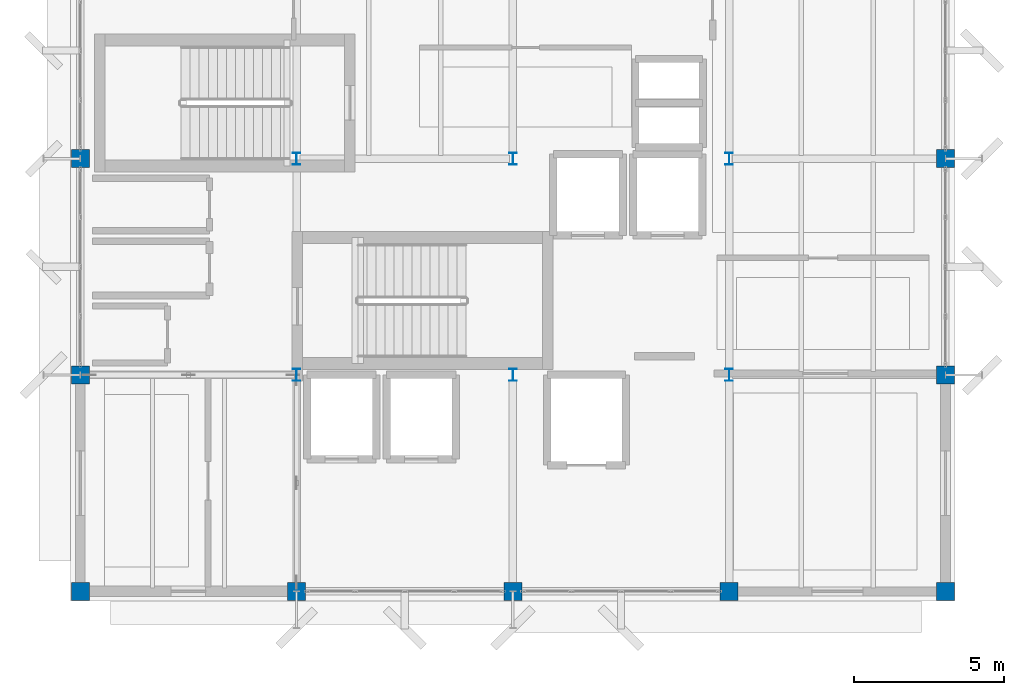
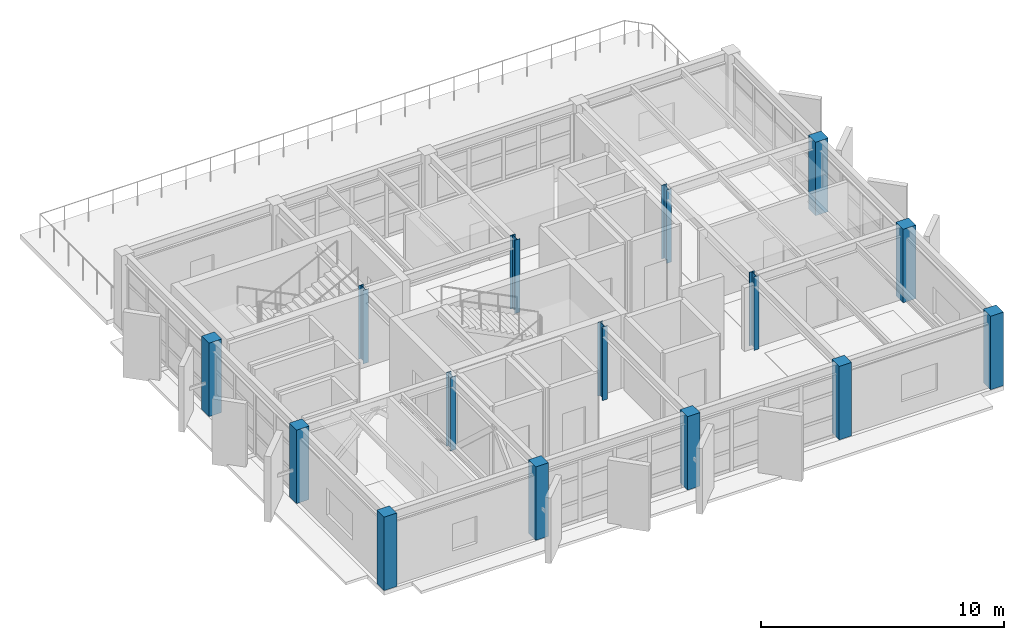
# One storey, part 1 of 16: 15 columns.
"""IFC4 building model written with IfcOpenShell, lengths in metres."""

from ifc_helpers import new_model, si_unit, direction, frame, origin, origin_2d, place, context, subcontext, project, spatial, rectangle, i_section, extrude, material, material_profile, profile_set, type_object, element, save


model = new_model("IFC4")

# Units and contexts
model_context = context("Model", 3, precision=1e-05, world=origin(), true_north=direction((0.0, 1.0)))
body_context = subcontext(model_context, "Body", "Model", "MODEL_VIEW")
ifc_project = project(units=[si_unit("LENGTHUNIT", "METRE"), si_unit("AREAUNIT", "SQUARE_METRE"), si_unit("VOLUMEUNIT", "CUBIC_METRE"), si_unit("PLANEANGLEUNIT", "RADIAN"), si_unit("MASSUNIT", "GRAM", prefix="KILO")], contexts=[model_context])

# Site, building, storey
site_placement = place(None, origin())
site = spatial("IfcSite", under=ifc_project, at=site_placement, CompositionType="ELEMENT")
building_placement = place(site_placement, origin())
building = spatial("IfcBuilding", under=site, at=building_placement, Name="Kandorven Conservatory and Botanical Research Centre", CompositionType="ELEMENT")
storey_placement = place(building_placement, frame((0.0, 0.0, 44.39990234375)))
storey = spatial("IfcBuildingStorey", under=building, at=storey_placement, Name="L11", CompositionType="ELEMENT", Elevation=44.39990234375)

# Columns
ifc_material_1 = material(Name="Steel S355 (IS 2062 E350)", Category="steel")
ifc_material_profile_1 = material_profile(ifc_material_1, i_section(OverallWidth=0.25, OverallDepth=0.39990234375, WebThickness=0.010498046875, FlangeThickness=0.0126953125, at=origin_2d()))
ifc_profile_set_1 = profile_set([ifc_material_profile_1], Name="Steel S355 (IS 2062 E350)")
column_type_1 = type_object("IfcColumnType", Name="Col_SC-02", PredefinedType="COLUMN", material=ifc_profile_set_1)
for number, where, z_axis, x_axis, name in (
    (1, (13.199951171875, 13.199951171875, 0.0), (0.0, 0.0, 1.0), (1.0, 0.0, 0.0), "Column SC-02 TWR L11 (2,2)"),
    (2, (13.199951171875, 20.39990234375, 0.0), (0.0, 0.0, 1.0), (1.0, 0.0, 0.0), "Column SC-02 TWR L11 (2,3)"),
    (3, (20.39990234375, 13.199951171875, 0.0), (0.0, 0.0, 1.0), (1.0, 0.0, 0.0), "Column SC-02 TWR L11 (3,2)"),
    (4, (20.39990234375, 20.39990234375, 0.0), (0.0, 0.0, 1.0), (1.0, 0.0, 0.0), "Column SC-02 TWR L11 (3,3)"),
    (5, (27.60009765625, 13.199951171875, 0.0), (0.0, 0.0, 1.0), (1.0, 0.0, 0.0), "Column SC-02 TWR L11 (4,2)"),
    (6, (27.60009765625, 20.39990234375, 0.0), (0.0, 0.0, 1.0), (1.0, 0.0, 0.0), "Column SC-02 TWR L11 (4,3)"),
):
    element("IfcColumn", number, at=place(storey_placement, frame(where, z_axis=z_axis, x_axis=x_axis)), inside=storey, type_object=column_type_1, Name=name, PredefinedType="COLUMN", context=body_context, shape_type="SweptSolid", body=[
        extrude(i_section(OverallWidth=0.25, OverallDepth=0.39990234375, WebThickness=0.010498046875, FlangeThickness=0.0126953125, at=origin_2d()), origin(), (0.0, 0.0, 1.0), 3.690185546875),
    ])
ifc_material_2 = material(Name="Concrete C40/50 (M50)", Category="concrete")
ifc_material_profile_2 = material_profile(ifc_material_2, rectangle(XDim=0.60009765625, YDim=0.60009765625, at=origin_2d()))
ifc_profile_set_2 = profile_set([ifc_material_profile_2], Name="Concrete C40/50 (M50)")
column_type_2 = type_object("IfcColumnType", Name="Col_TC-04", PredefinedType="COLUMN", material=ifc_profile_set_2)
for number, where, z_axis, x_axis, name in (
    (7, (6.0, 6.0, 0.0), (0.0, 0.0, 1.0), (1.0, 0.0, 0.0), "Column TC-04 TWR L11 (1,1)"),
    (8, (6.0, 13.199951171875, 0.0), (0.0, 0.0, 1.0), (1.0, 0.0, 0.0), "Column TC-04 TWR L11 (1,2)"),
    (9, (6.0, 20.39990234375, 0.0), (0.0, 0.0, 1.0), (1.0, 0.0, 0.0), "Column TC-04 TWR L11 (1,3)"),
    (10, (13.199951171875, 6.0, 0.0), (0.0, 0.0, 1.0), (1.0, 0.0, 0.0), "Column TC-04 TWR L11 (2,1)"),
    (11, (20.39990234375, 6.0, 0.0), (0.0, 0.0, 1.0), (1.0, 0.0, 0.0), "Column TC-04 TWR L11 (3,1)"),
    (12, (27.60009765625, 6.0, 0.0), (0.0, 0.0, 1.0), (1.0, 0.0, 0.0), "Column TC-04 TWR L11 (4,1)"),
    (13, (34.800048828125, 6.0, 0.0), (0.0, 0.0, 1.0), (1.0, 0.0, 0.0), "Column TC-04 TWR L11 (5,1)"),
    (14, (34.800048828125, 13.199951171875, 0.0), (0.0, 0.0, 1.0), (1.0, 0.0, 0.0), "Column TC-04 TWR L11 (5,2)"),
    (15, (34.800048828125, 20.39990234375, 0.0), (0.0, 0.0, 1.0), (1.0, 0.0, 0.0), "Column TC-04 TWR L11 (5,3)"),
):
    element("IfcColumn", number, at=place(storey_placement, frame(where, z_axis=z_axis, x_axis=x_axis)), inside=storey, type_object=column_type_2, Name=name, PredefinedType="COLUMN", context=body_context, shape_type="SweptSolid", body=[
        extrude(rectangle(XDim=0.60009765625, YDim=0.60009765625, at=origin_2d()), origin(), (0.0, 0.0, 1.0), 3.690185546875),
    ])

save(model, "model.ifc")
